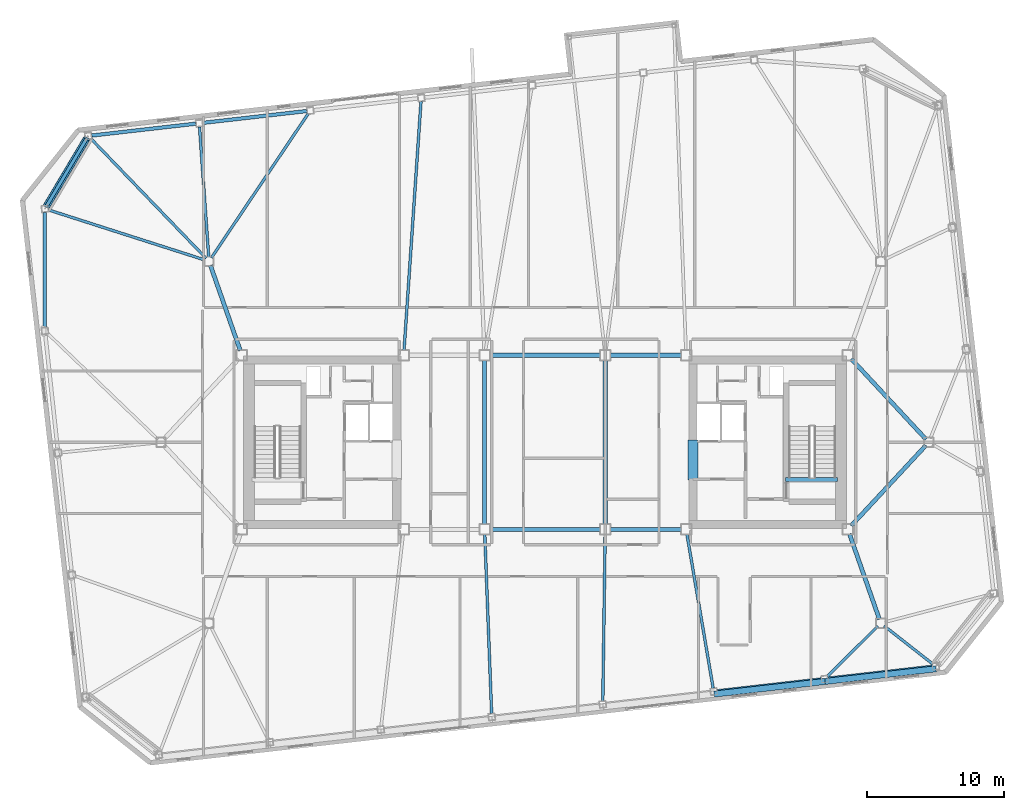
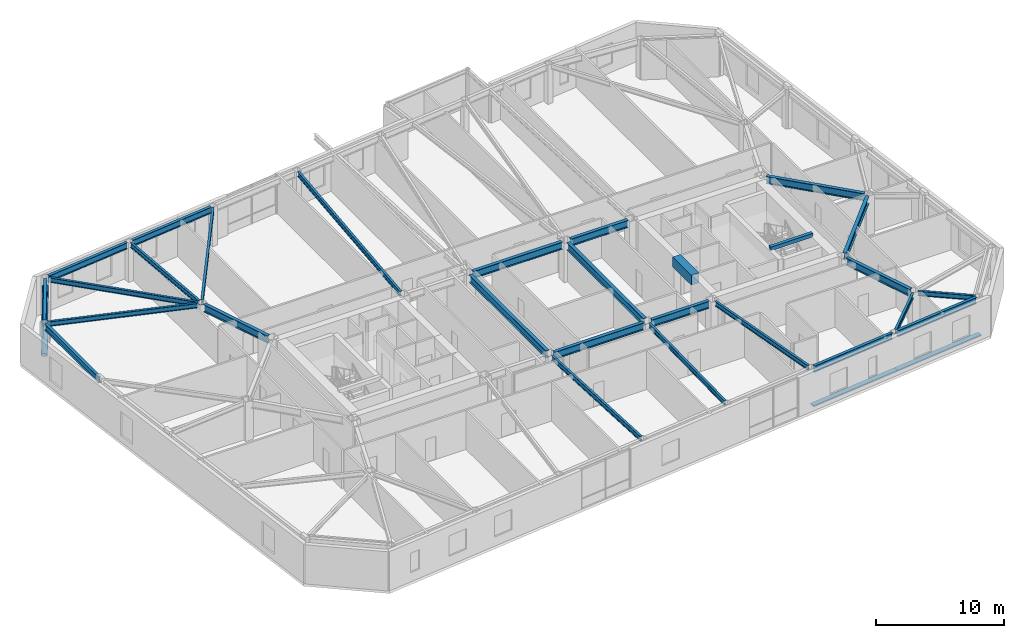
# One storey, part 9 of 21: 28 beams, 3 members.
"""IFC4 building model written with IfcOpenShell, lengths in metres."""

from ifc_helpers import new_model, si_unit, direction, frame, origin, origin_2d, place, context, subcontext, project, spatial, rectangle, hollow_circle, i_section, extrude, material, material_profile, profile_set, type_object, element, save


model = new_model("IFC4")

# Units and contexts
model_context = context("Model", 3, precision=1e-05, world=origin(), true_north=direction((0.0, 1.0)))
body_context = subcontext(model_context, "Body", "Model", "MODEL_VIEW")
ifc_project = project(units=[si_unit("LENGTHUNIT", "METRE"), si_unit("AREAUNIT", "SQUARE_METRE"), si_unit("VOLUMEUNIT", "CUBIC_METRE"), si_unit("PLANEANGLEUNIT", "RADIAN"), si_unit("MASSUNIT", "GRAM", prefix="KILO")], contexts=[model_context])

# Site, building, storey
site_placement = place(None, origin())
site = spatial("IfcSite", under=ifc_project, at=site_placement, CompositionType="ELEMENT")
building_placement = place(site_placement, origin())
building = spatial("IfcBuilding", under=site, at=building_placement, Name="Tavrogorsk Clinical Tower", CompositionType="ELEMENT")
storey_placement = place(building_placement, frame((0.0, 0.0, 247.0)))
storey = spatial("IfcBuildingStorey", under=building, at=storey_placement, Name="L57", CompositionType="ELEMENT", Elevation=247.0)

# Members
ifc_material_1 = material(Name="Anodised aluminium alloy AW-6063", Category="aluminium")
ifc_material_profile_1 = material_profile(ifc_material_1, rectangle(XDim=0.449951171875, YDim=0.1201171875, at=origin_2d()), Name="ALU-SUNSHADE-450x120")
ifc_profile_set_1 = profile_set([ifc_material_profile_1], Name="Anodised aluminium alloy AW-6063")
member_type_1 = type_object("IfcMemberType", Name="ChicagoSunshade_450x120", PredefinedType="USERDEFINED", material=ifc_profile_set_1)
for number, where, z_axis, x_axis, name in (
    (1, (12.336669921875, -18.369140625, 0.179931640625), (0.99356960656, 0.11322295227, 0.0), (-0.11322295227, 0.99356960656, 0.0), "L57 South Aluminium Sunshade S6"),
    (2, (20.432861328125, -17.446533203125, 0.179931640625), (0.9935729766, 0.113193375116, 0.0), (-0.113193375116, 0.9935729766, 0.0), "L57 South Aluminium Sunshade S7"),
):
    element("IfcMember", number, at=place(storey_placement, frame(where, z_axis=z_axis, x_axis=x_axis)), inside=storey, type_object=member_type_1, Name=name, ObjectType="SUNSHADE", PredefinedType="USERDEFINED", context=body_context, shape_type="SweptSolid", body=[
        extrude(rectangle(XDim=0.449951171875, YDim=0.1201171875, at=origin_2d()), origin(), (0.0, 0.0, 1.0), 8.148681640625),
    ])

# Beam
ifc_material_2 = material(Name="Concrete B80", Category="concrete")
ifc_material_profile_2 = material_profile(ifc_material_2, rectangle(XDim=0.699951171875, YDim=0.949951171875, at=origin_2d()), Name="RC-CB-700x950")
ifc_profile_set_2 = profile_set([ifc_material_profile_2], Name="Concrete B80")
beam_type_1 = type_object("IfcBeamType", Name="CouplingBeam_RC700x950", PredefinedType="LINTEL", material=ifc_profile_set_2)
beam_1_placement = place(storey_placement, frame((10.800048828125, -2.75, 3.264892578125), z_axis=(0.0, 1.0, 0.0), x_axis=(-1.0, 0.0, 0.0)))
element("IfcBeam", 3, at=beam_1_placement, inside=storey, type_object=beam_type_1, Name="L57 Core East Coupling Beam", PredefinedType="LINTEL", context=body_context, shape_type="SweptSolid", body=[
    extrude(rectangle(XDim=0.699951171875, YDim=0.949951171875, at=origin_2d()), origin(), (0.0, 0.0, 1.0), 2.89990234375),
])

# Member
ifc_material_3 = material(Name="Structural steel S440", Category="steel")
ifc_material_profile_3 = material_profile(ifc_material_3, hollow_circle(Radius=0.25390625, WallThickness=0.02001953125, at=origin_2d()), Name="CHS-508x20")
ifc_profile_set_3 = profile_set([ifc_material_profile_3], Name="Structural steel S440")
member_type_2 = type_object("IfcMemberType", Name="ExoBrace_CHS508", PredefinedType="BRACE", material=ifc_profile_set_3)
member_placement = place(storey_placement, frame((-36.349853515625, 17.23486328125, 0.40625), z_axis=(0.466115044739, 0.783286774864, 0.411337566228), x_axis=(-0.859354157364, 0.511380907173, 0.0)))
element("IfcMember", 4, at=member_placement, inside=storey, type_object=member_type_2, Name="L57 Corner Exoskeleton Brace N8-W1", PredefinedType="BRACE", context=body_context, shape_type="SweptSolid", body=[
    extrude(hollow_circle(Radius=0.25390625, WallThickness=0.02001953125, at=origin_2d()), origin(), (0.0, 0.0, 1.0), 6.266357421875),
])

# Beams
ifc_material_4 = material(Name="Structural steel S355", Category="steel")
ifc_material_profile_4 = material_profile(ifc_material_4, i_section(OverallWidth=0.199951171875, OverallDepth=0.449951171875, WebThickness=0.011474609375, FlangeThickness=0.01806640625, at=origin_2d()), Name="B-450x200x11.5x18")
ifc_profile_set_4 = profile_set([ifc_material_profile_4], Name="Structural steel S355")
beam_type_2 = type_object("IfcBeamType", Name="FloorBeam_B450", PredefinedType="BEAM", material=ifc_profile_set_4)
beam_2_placement = place(storey_placement, frame((-4.38623046875, -6.709716796875, 3.514892578125), z_axis=(0.038253158264, -0.999268080088, 0.0), x_axis=(0.999268080088, 0.038253158264, 0.0)))
element("IfcBeam", 5, at=beam_2_placement, inside=storey, type_object=beam_type_2, Name="L57 Radial Floor Beam S4", PredefinedType="BEAM", context=body_context, shape_type="SweptSolid", body=[
    extrude(i_section(OverallWidth=0.199951171875, OverallDepth=0.449951171875, WebThickness=0.011474609375, FlangeThickness=0.01806640625, at=origin_2d()), origin(), (0.0, 0.0, 1.0), 13.0771484375),
])
beam_3_placement = place(storey_placement, frame((4.39501953125, -6.7099609375, 3.514892578125), z_axis=(-0.014110566079, -0.999900441006, 0.0), x_axis=(0.999900441006, -0.014110566079, 0.0)))
element("IfcBeam", 6, at=beam_3_placement, inside=storey, type_object=beam_type_2, Name="L57 Radial Floor Beam S5", PredefinedType="BEAM", context=body_context, shape_type="SweptSolid", body=[
    extrude(i_section(OverallWidth=0.199951171875, OverallDepth=0.449951171875, WebThickness=0.011474609375, FlangeThickness=0.01806640625, at=origin_2d()), origin(), (0.0, 0.0, 1.0), 12.14599609375),
])
beam_4_placement = place(storey_placement, frame((10.3603515625, -6.704833984375, 3.514892578125), z_axis=(0.167876447446, -0.98580804338, 0.0), x_axis=(0.98580804338, 0.167876447446, 0.0)))
element("IfcBeam", 7, at=beam_4_placement, inside=storey, type_object=beam_type_2, Name="L57 Radial Floor Beam S6", PredefinedType="BEAM", context=body_context, shape_type="SweptSolid", body=[
    extrude(i_section(OverallWidth=0.199951171875, OverallDepth=0.449951171875, WebThickness=0.011474609375, FlangeThickness=0.01806640625, at=origin_2d()), origin(), (0.0, 0.0, 1.0), 11.392822265625),
])
beam_5_placement = place(storey_placement, frame((24.2802734375, -13.418701171875, 3.514892578125), z_axis=(-0.708842234901, -0.705367057652, 0.0), x_axis=(0.705367057652, -0.708842234901, 0.0)))
element("IfcBeam", 8, at=beam_5_placement, inside=storey, type_object=beam_type_2, Name="L57 Radial Floor Beam S7", PredefinedType="BEAM", context=body_context, shape_type="SweptSolid", body=[
    extrude(i_section(OverallWidth=0.199951171875, OverallDepth=0.449951171875, WebThickness=0.011474609375, FlangeThickness=0.01806640625, at=origin_2d()), origin(), (0.0, 0.0, 1.0), 5.19873046875),
])
beam_6_placement = place(storey_placement, frame((24.743896484375, -13.391357421875, 3.514892578125), z_axis=(0.786731711527, -0.617295078611, 0.0), x_axis=(0.617295078611, 0.786731711527, 0.0)))
element("IfcBeam", 9, at=beam_6_placement, inside=storey, type_object=beam_type_2, Name="L57 Radial Floor Beam S8", PredefinedType="BEAM", context=body_context, shape_type="SweptSolid", body=[
    extrude(i_section(OverallWidth=0.199951171875, OverallDepth=0.449951171875, WebThickness=0.011474609375, FlangeThickness=0.01806640625, at=origin_2d()), origin(), (0.0, 0.0, 1.0), 4.52734375),
])
beam_7_placement = place(storey_placement, frame((-10.275390625, 6.709228515625, 3.514892578125), z_axis=(0.068054861188, 0.9976815804, 0.0), x_axis=(-0.9976815804, 0.068054861188, 0.0)))
element("IfcBeam", 10, at=beam_7_placement, inside=storey, type_object=beam_type_2, Name="L57 Radial Floor Beam N5", PredefinedType="BEAM", context=body_context, shape_type="SweptSolid", body=[
    extrude(i_section(OverallWidth=0.199951171875, OverallDepth=0.449951171875, WebThickness=0.011474609375, FlangeThickness=0.01806640625, at=origin_2d()), origin(), (0.0, 0.0, 1.0), 18.188232421875),
])
beam_8_placement = place(storey_placement, frame((-24.3271484375, 13.457275390625, 3.514892578125), z_axis=(0.557666552953, 0.830065067159, 0.0), x_axis=(-0.830065067159, 0.557666552953, 0.0)))
element("IfcBeam", 11, at=beam_8_placement, inside=storey, type_object=beam_type_2, Name="L57 Radial Floor Beam N6", PredefinedType="BEAM", context=body_context, shape_type="SweptSolid", body=[
    extrude(i_section(OverallWidth=0.199951171875, OverallDepth=0.449951171875, WebThickness=0.011474609375, FlangeThickness=0.01806640625, at=origin_2d()), origin(), (0.0, 0.0, 1.0), 12.67236328125),
])
beam_9_placement = place(storey_placement, frame((-24.52197265625, 13.50927734375, 3.514892578125), z_axis=(-0.070563956086, 0.997507257167, 0.0), x_axis=(-0.997507257167, -0.070563956086, 0.0)))
element("IfcBeam", 12, at=beam_9_placement, inside=storey, type_object=beam_type_2, Name="L57 Radial Floor Beam N7", PredefinedType="BEAM", context=body_context, shape_type="SweptSolid", body=[
    extrude(i_section(OverallWidth=0.199951171875, OverallDepth=0.449951171875, WebThickness=0.011474609375, FlangeThickness=0.01806640625, at=origin_2d()), origin(), (0.0, 0.0, 1.0), 9.52490234375),
])
beam_10_placement = place(storey_placement, frame((-24.715087890625, 13.42333984375, 3.514892578125), z_axis=(-0.69371826835, 0.720246460704, 0.0), x_axis=(-0.720246460704, -0.69371826835, 0.0)))
element("IfcBeam", 13, at=beam_10_placement, inside=storey, type_object=beam_type_2, Name="L57 Radial Floor Beam N8", PredefinedType="BEAM", context=body_context, shape_type="SweptSolid", body=[
    extrude(i_section(OverallWidth=0.199951171875, OverallDepth=0.449951171875, WebThickness=0.011474609375, FlangeThickness=0.01806640625, at=origin_2d()), origin(), (0.0, 0.0, 1.0), 12.129638671875),
])
beam_11_placement = place(storey_placement, frame((-24.795166015625, 13.29443359375, 3.514892578125), z_axis=(-0.952367912824, 0.304951403709, 0.0), x_axis=(-0.304951403709, -0.952367912824, 0.0)))
element("IfcBeam", 14, at=beam_11_placement, inside=storey, type_object=beam_type_2, Name="L57 Radial Floor Beam W1", PredefinedType="BEAM", context=body_context, shape_type="SweptSolid", body=[
    extrude(i_section(OverallWidth=0.199951171875, OverallDepth=0.449951171875, WebThickness=0.011474609375, FlangeThickness=0.01806640625, at=origin_2d()), origin(), (0.0, 0.0, 1.0), 12.000732421875),
])
ifc_material_5 = material(Name="Structural steel S390", Category="steel")
ifc_material_profile_5 = material_profile(ifc_material_5, i_section(OverallWidth=0.300048828125, OverallDepth=0.699951171875, WebThickness=0.01708984375, FlangeThickness=0.028076171875, at=origin_2d()), Name="B-700x300x17x28")
ifc_profile_set_5 = profile_set([ifc_material_profile_5], Name="Structural steel S390")
beam_type_3 = type_object("IfcBeamType", Name="PrimaryGirder_B700", PredefinedType="USERDEFINED", material=ifc_profile_set_5)
for number, where, z_axis, x_axis, name in (
    (15, (-4.0400390625, -6.35009765625, 3.389892578125), (1.0, 0.0, 0.0), (0.0, 1.0, 0.0), "L57 Primary Spine Girder MG-03"),
    (16, (-4.0400390625, 6.35009765625, 3.389892578125), (1.0, 0.0, 0.0), (0.0, 1.0, 0.0), "L57 Primary Spine Girder MG-04"),
):
    element("IfcBeam", number, at=place(storey_placement, frame(where, z_axis=z_axis, x_axis=x_axis)), inside=storey, type_object=beam_type_3, Name=name, ObjectType="GIRDER", PredefinedType="USERDEFINED", context=body_context, shape_type="SweptSolid", body=[
        extrude(i_section(OverallWidth=0.300048828125, OverallDepth=0.699951171875, WebThickness=0.01708984375, FlangeThickness=0.028076171875, at=origin_2d()), origin(), (0.0, 0.0, 1.0), 8.080078125),
    ])
for number, where, z_axis, x_axis, name in (
    (17, (4.760009765625, -6.35009765625, 3.389892578125), (1.0, 0.0, 0.0), (0.0, 1.0, 0.0), "L57 Primary Spine Girder MG-05"),
    (18, (4.760009765625, 6.35009765625, 3.389892578125), (1.0, 0.0, 0.0), (0.0, 1.0, 0.0), "L57 Primary Spine Girder MG-06"),
):
    element("IfcBeam", number, at=place(storey_placement, frame(where, z_axis=z_axis, x_axis=x_axis)), inside=storey, type_object=beam_type_3, Name=name, ObjectType="GIRDER", PredefinedType="USERDEFINED", context=body_context, shape_type="SweptSolid", body=[
        extrude(i_section(OverallWidth=0.300048828125, OverallDepth=0.699951171875, WebThickness=0.01708984375, FlangeThickness=0.028076171875, at=origin_2d()), origin(), (0.0, 0.0, 1.0), 5.179931640625),
    ])
for number, where, z_axis, x_axis, name in (
    (19, (-4.39990234375, -5.989990234375, 3.389892578125), (0.0, 1.0, 0.0), (-1.0, 0.0, 0.0), "L57 Primary Spine Girder MG-07"),
    (20, (4.39990234375, -5.989990234375, 3.389892578125), (0.0, 1.0, 0.0), (-1.0, 0.0, 0.0), "L57 Primary Spine Girder MG-08"),
):
    element("IfcBeam", number, at=place(storey_placement, frame(where, z_axis=z_axis, x_axis=x_axis)), inside=storey, type_object=beam_type_3, Name=name, ObjectType="GIRDER", PredefinedType="USERDEFINED", context=body_context, shape_type="SweptSolid", body=[
        extrude(i_section(OverallWidth=0.300048828125, OverallDepth=0.699951171875, WebThickness=0.01708984375, FlangeThickness=0.028076171875, at=origin_2d()), origin(), (0.0, 0.0, 1.0), 11.97998046875),
    ])
for number, where, z_axis, x_axis, name in (
    (21, (24.3974609375, -12.907470703125, 3.389892578125), (-0.330654121425, 0.943752007672, 0.0), (-0.943752007672, -0.330654121425, 0.0), "L57 Spine Link Girder OPG-2"),
    (22, (-24.3974609375, 12.907470703125, 3.389892578125), (0.330654121425, -0.943752007672, 0.0), (0.943752007672, 0.330654121425, 0.0), "L57 Spine Link Girder OPG-3"),
):
    element("IfcBeam", number, at=place(storey_placement, frame(where, z_axis=z_axis, x_axis=x_axis)), inside=storey, type_object=beam_type_3, Name=name, ObjectType="GIRDER", PredefinedType="USERDEFINED", context=body_context, shape_type="SweptSolid", body=[
        extrude(i_section(OverallWidth=0.300048828125, OverallDepth=0.699951171875, WebThickness=0.01708984375, FlangeThickness=0.028076171875, at=origin_2d()), origin(), (0.0, 0.0, 1.0), 6.58837890625),
    ])
for number, where, z_axis, x_axis, name in (
    (23, (27.7890625, -0.22705078125, 3.389892578125), (-0.680684060959, -0.732577101168, 0.0), (0.732577101168, -0.680684060959, 0.0), "L57 Spine Link Girder OPG-7"),
    (24, (27.7890625, 0.22705078125, 3.389892578125), (-0.680684060959, 0.732577101168, 0.0), (-0.732577101168, -0.680684060959, 0.0), "L57 Spine Link Girder OPG-8"),
):
    element("IfcBeam", number, at=place(storey_placement, frame(where, z_axis=z_axis, x_axis=x_axis)), inside=storey, type_object=beam_type_3, Name=name, ObjectType="GIRDER", PredefinedType="USERDEFINED", context=body_context, shape_type="SweptSolid", body=[
        extrude(i_section(OverallWidth=0.300048828125, OverallDepth=0.699951171875, WebThickness=0.01708984375, FlangeThickness=0.028076171875, at=origin_2d()), origin(), (0.0, 0.0, 1.0), 7.998046875),
    ])
ifc_material_6 = material(Name="Structural steel S390", Category="steel")
ifc_material_profile_6 = material_profile(ifc_material_6, i_section(OverallWidth=0.260009765625, OverallDepth=0.60009765625, WebThickness=0.014892578125, FlangeThickness=0.02392578125, at=origin_2d()), Name="B-600x260x15x24")
ifc_profile_set_6 = profile_set([ifc_material_profile_6], Name="Structural steel S390")
beam_type_4 = type_object("IfcBeamType", Name="SpandrelBeam_B600", PredefinedType="SPANDREL", material=ifc_profile_set_6)
beam_12_placement = place(storey_placement, frame((12.57275390625, -18.1611328125, 3.43994140625), z_axis=(0.993571689921, 0.113204668576, 0.0), x_axis=(-0.113204668576, 0.993571689921, 0.0)))
element("IfcBeam", 25, at=beam_12_placement, inside=storey, type_object=beam_type_4, Name="L57 Perimeter Spandrel S6-S7", PredefinedType="SPANDREL", context=body_context, shape_type="SweptSolid", body=[
    extrude(i_section(OverallWidth=0.260009765625, OverallDepth=0.60009765625, WebThickness=0.014892578125, FlangeThickness=0.02392578125, at=origin_2d()), origin(), (0.0, 0.0, 1.0), 7.63232421875),
])
for number, where, z_axis, x_axis, name in (
    (26, (20.668701171875, -17.238525390625, 3.43994140625), (0.993572099834, 0.113201070804, 0.0), (-0.113201070804, 0.993572099834, 0.0), "L57 Perimeter Spandrel S7-S8"),
    (27, (-17.37255859375, 24.1611328125, 3.43994140625), (-0.993572099834, -0.113201070804, 0.0), (0.113201070804, -0.993572099834, 0.0), "L57 Perimeter Spandrel N6-N7"),
    (28, (-25.46875, 23.238525390625, 3.43994140625), (-0.993572099834, -0.113201070804, 0.0), (0.113201070804, -0.993572099834, 0.0), "L57 Perimeter Spandrel N7-N8"),
):
    element("IfcBeam", number, at=place(storey_placement, frame(where, z_axis=z_axis, x_axis=x_axis)), inside=storey, type_object=beam_type_4, Name=name, PredefinedType="SPANDREL", context=body_context, shape_type="SweptSolid", body=[
        extrude(i_section(OverallWidth=0.260009765625, OverallDepth=0.60009765625, WebThickness=0.014892578125, FlangeThickness=0.02392578125, at=origin_2d()), origin(), (0.0, 0.0, 1.0), 7.632568359375),
    ])
beam_13_placement = place(storey_placement, frame((-33.4404296875, 22.123779296875, 3.43994140625), z_axis=(-0.51140659222, -0.859338872293, 0.0), x_axis=(0.859338872293, -0.51140659222, 0.0)))
element("IfcBeam", 29, at=beam_13_placement, inside=storey, type_object=beam_type_4, Name="L57 Perimeter Spandrel N8-W1", PredefinedType="SPANDREL", context=body_context, shape_type="SweptSolid", body=[
    extrude(i_section(OverallWidth=0.260009765625, OverallDepth=0.60009765625, WebThickness=0.014892578125, FlangeThickness=0.02392578125, at=origin_2d()), origin(), (0.0, 0.0, 1.0), 5.666259765625),
])
beam_14_placement = place(storey_placement, frame((-36.469970703125, 16.77490234375, 3.43994140625), z_axis=(0.0, -1.0, 0.0), x_axis=(1.0, 0.0, 0.0)))
element("IfcBeam", 30, at=beam_14_placement, inside=storey, type_object=beam_type_4, Name="L57 Perimeter Spandrel W1-W2", PredefinedType="SPANDREL", context=body_context, shape_type="SweptSolid", body=[
    extrude(i_section(OverallWidth=0.260009765625, OverallDepth=0.60009765625, WebThickness=0.014892578125, FlangeThickness=0.02392578125, at=origin_2d()), origin(), (0.0, 0.0, 1.0), 8.386474609375),
])
ifc_material_7 = material(Name="Concrete B60", Category="concrete")
ifc_material_profile_7 = material_profile(ifc_material_7, rectangle(XDim=0.300048828125, YDim=0.35009765625, at=origin_2d()), Name="RC-SHB-300x350")
ifc_profile_set_7 = profile_set([ifc_material_profile_7], Name="Concrete B60")
beam_type_5 = type_object("IfcBeamType", Name="StairHeaderBeam_RC300x350", PredefinedType="BEAM", material=ifc_profile_set_7)
beam_15_placement = place(storey_placement, frame((17.550048828125, -2.719970703125, 3.824951171875), z_axis=(1.0, 0.0, 0.0), x_axis=(0.0, 1.0, 0.0)))
element("IfcBeam", 31, at=beam_15_placement, inside=storey, type_object=beam_type_5, Name="L58 ST-E Landing Header Beam", PredefinedType="BEAM", context=body_context, shape_type="SweptSolid", body=[
    extrude(rectangle(XDim=0.300048828125, YDim=0.35009765625, at=origin_2d()), origin(), (0.0, 0.0, 1.0), 3.800048828125),
])

save(model, "model.ifc")
